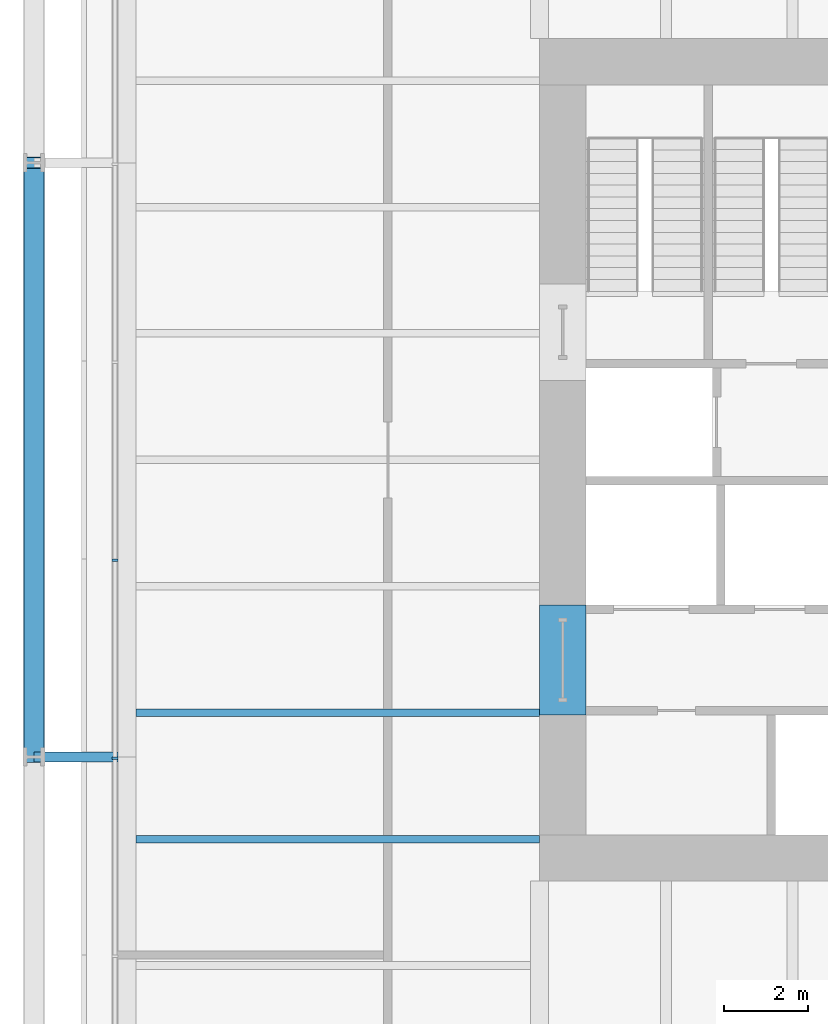
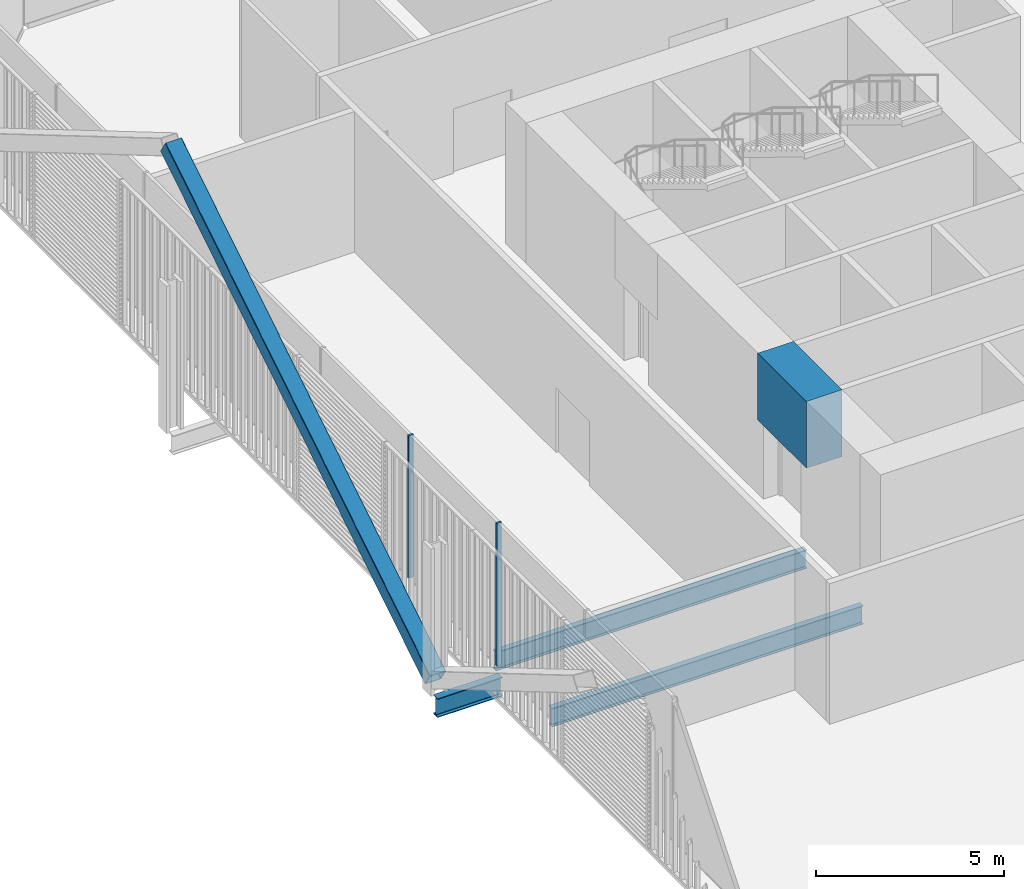
# One storey, part 5 of 22: 4 beams, 3 members, 1 element without a shape of its own.
"""IFC4 building model written with IfcOpenShell, lengths in metres."""

from ifc_helpers import new_model, si_unit, direction, frame, origin, origin_2d, place, context, subcontext, project, spatial, rectangle, hollow_rectangle, i_section, extrude, material, layer, layer_set, material_profile, profile_set, type_object, element, aggregate, save


model = new_model("IFC4")

# Units and contexts
model_context = context("Model", 3, precision=1e-05, world=origin(), true_north=direction((0.0, 1.0)))
body_context = subcontext(model_context, "Body", "Model", "MODEL_VIEW")
ifc_project = project(units=[si_unit("LENGTHUNIT", "METRE"), si_unit("AREAUNIT", "SQUARE_METRE"), si_unit("VOLUMEUNIT", "CUBIC_METRE"), si_unit("PLANEANGLEUNIT", "RADIAN"), si_unit("MASSUNIT", "GRAM", prefix="KILO")], contexts=[model_context])

# Site, building, storey
site_placement = place(None, origin())
site = spatial("IfcSite", under=ifc_project, at=site_placement, CompositionType="ELEMENT")
building_placement = place(site_placement, origin())
building = spatial("IfcBuilding", under=site, at=building_placement, Name="Millrace Tower", CompositionType="ELEMENT")
storey_placement = place(building_placement, frame((0.0, 0.0, 44.89990234375)))
storey = spatial("IfcBuildingStorey", under=building, at=storey_placement, Name="L10", CompositionType="ELEMENT", Elevation=44.89990234375)

# Curtain wall, members
ifc_material_1 = material(Name="Aluminium and glass", Category="aluminium")
ifc_layer = layer(ifc_material_1, 0.14990234375)
ifc_layer_set = layer_set([ifc_layer], Name="Aluminium and glass")
curtain_wall_type = type_object("IfcCurtainWallType", Name="CW-2 data hall insulated curtain wall", PredefinedType="NOTDEFINED", material=ifc_layer_set)
curtain_wall_placement = place(storey_placement, origin())
curtain_wall = element("IfcCurtainWall", 1, at=curtain_wall_placement, inside=storey, type_object=curtain_wall_type, Name="Curtain wall A-F08 L10", PredefinedType="NOTDEFINED")
ifc_material_2 = material(Name="Aluminium", Category="aluminium")
ifc_material_profile_1 = material_profile(ifc_material_2, rectangle(XDim=0.06494140625, YDim=0.14990234375, at=origin_2d()))
ifc_profile_set_1 = profile_set([ifc_material_profile_1], Name="Aluminium")
member_type_1 = type_object("IfcMemberType", Name="CW-2 data hall insulated curtain wall mullion", PredefinedType="MULLION", material=ifc_profile_set_1)
member_1_placement = place(storey_placement, frame((-25.074951171875, -2.382568359375, 0.16015625), z_axis=(0.0, 0.0, 1.0), x_axis=(0.0, -1.0, 0.0)))
member_1 = element("IfcMember", 2, at=member_1_placement, type_object=member_type_1, Name="CW2 mullion A-F08.6", PredefinedType="MULLION", context=body_context, shape_type="SweptSolid", body=[
    extrude(rectangle(XDim=0.06494140625, YDim=0.14990234375, at=origin_2d()), origin(), (0.0, 0.0, 1.0), 4.639892578125),
])
member_2_placement = place(storey_placement, frame((-25.074951171875, -7.08251953125, 0.16015625), z_axis=(0.0, 0.0, 1.0), x_axis=(0.0, -1.0, 0.0)))
member_2 = element("IfcMember", 3, at=member_2_placement, type_object=member_type_1, Name="CW2 mullion A-F08.7", PredefinedType="MULLION", context=body_context, shape_type="SweptSolid", body=[
    extrude(rectangle(XDim=0.06494140625, YDim=0.14990234375, at=origin_2d()), origin(), (0.0, 0.0, 1.0), 4.639892578125),
])
aggregate(curtain_wall, [member_1, member_2])

# Beam
ifc_material_3 = material(Name="Concrete C80", Category="concrete")
ifc_material_profile_2 = material_profile(ifc_material_3, rectangle(XDim=1.10009765625, YDim=2.175048828125, at=origin_2d()))
ifc_profile_set_2 = profile_set([ifc_material_profile_2], Name="Concrete C80")
beam_type_1 = type_object("IfcBeamType", Name="Coupling beam 1100 x 2175 Concrete C80, 2000 opening", PredefinedType="BEAM", material=ifc_profile_set_2)
beam_1_placement = place(storey_placement, frame((-14.449951171875, -6.050048828125, 3.487548828125), z_axis=(0.0, 1.0, 0.0), x_axis=(-1.0, 0.0, 0.0)))
element("IfcBeam", 4, at=beam_1_placement, inside=storey, type_object=beam_type_1, Name="Coupling beam W L10", PredefinedType="BEAM", context=body_context, shape_type="SweptSolid", body=[
    extrude(rectangle(XDim=1.10009765625, YDim=2.175048828125, at=origin_2d()), origin(), (0.0, 0.0, 1.0), 2.60009765625),
])

# Member
ifc_material_4 = material(Name="Steel ASTM A500 Grade C", Category="steel")
ifc_material_profile_3 = material_profile(ifc_material_4, hollow_rectangle(XDim=0.508056640625, YDim=0.508056640625, WallThickness=0.01904296875, InnerFilletRadius=0.009521484375, OuterFilletRadius=0.028564453125, at=origin_2d()))
ifc_profile_set_3 = profile_set([ifc_material_profile_3], Name="Steel ASTM A500 Grade C")
member_type_2 = type_object("IfcMemberType", Name="Exoskeleton brace HSS20x20x3/4", PredefinedType="BRACE", material=ifc_profile_set_3)
member_3_placement = place(storey_placement, frame((-27.0, -7.050048828125, 0.400146484375), z_axis=(0.0, 0.848336468551, 0.529457492276), x_axis=(-1.0, 0.0, 0.0)))
element("IfcMember", 5, at=member_3_placement, inside=storey, type_object=member_type_2, Name="BRC-A-L10-15", PredefinedType="BRACE", context=body_context, shape_type="SweptSolid", body=[
    extrude(hollow_rectangle(XDim=0.508056640625, YDim=0.508056640625, WallThickness=0.01904296875, InnerFilletRadius=0.009521484375, OuterFilletRadius=0.028564453125, at=origin_2d()), origin(), (0.0, 0.0, 1.0), 16.620849609375),
])

# Beams
ifc_material_5 = material(Name="Steel ASTM A992 Grade 50", Category="steel")
ifc_material_profile_4 = material_profile(ifc_material_5, i_section(OverallWidth=0.1787109375, OverallDepth=0.60205078125, WebThickness=0.010986328125, FlangeThickness=0.014892578125, FilletRadius=0.0126953125, at=origin_2d()))
ifc_profile_set_4 = profile_set([ifc_material_profile_4], Name="Steel ASTM A992 Grade 50")
beam_type_2 = type_object("IfcBeamType", Name="Floor beam W24x62", PredefinedType="JOIST", material=ifc_profile_set_4)
for number, where, z_axis, x_axis, name in (
    (6, (-24.578369140625, -9.0, -0.52587890625), (1.0, 0.0, 0.0), (0.0, 1.0, 0.0), "BM-A-L10-S1-S012"),
    (7, (-24.578369140625, -6.0, -0.52587890625), (1.0, 0.0, 0.0), (0.0, 1.0, 0.0), "BM-A-L10-S1-S015"),
):
    element("IfcBeam", number, at=place(storey_placement, frame(where, z_axis=z_axis, x_axis=x_axis)), inside=storey, type_object=beam_type_2, Name=name, PredefinedType="JOIST", context=body_context, shape_type="SweptSolid", body=[
        extrude(i_section(OverallWidth=0.1787109375, OverallDepth=0.60205078125, WebThickness=0.010986328125, FlangeThickness=0.014892578125, FilletRadius=0.0126953125, at=origin_2d()), origin(), (0.0, 0.0, 1.0), 9.578369140625),
    ])
ifc_material_6 = material(Name="Steel ASTM A992 Grade 50", Category="steel")
ifc_material_profile_5 = material_profile(ifc_material_6, i_section(OverallWidth=0.23046875, OverallDepth=0.6171875, WebThickness=0.01318359375, FlangeThickness=0.022216796875, FilletRadius=0.012939453125, at=origin_2d()))
ifc_profile_set_5 = profile_set([ifc_material_profile_5], Name="Steel ASTM A992 Grade 50")
beam_type_3 = type_object("IfcBeamType", Name="Link beam W24x94", PredefinedType="BEAM", material=ifc_profile_set_5)
beam_2_placement = place(storey_placement, frame((-25.0, -7.050048828125, -0.533447265625), z_axis=(-1.0, 0.0, 0.0), x_axis=(0.0, -1.0, 0.0)))
element("IfcBeam", 8, at=beam_2_placement, inside=storey, type_object=beam_type_3, Name="LNK-A-L10-S1-02", PredefinedType="BEAM", context=body_context, shape_type="SweptSolid", body=[
    extrude(i_section(OverallWidth=0.23046875, OverallDepth=0.6171875, WebThickness=0.01318359375, FlangeThickness=0.022216796875, FilletRadius=0.012939453125, at=origin_2d()), origin(), (0.0, 0.0, 1.0), 2.0),
])

save(model, "model.ifc")
